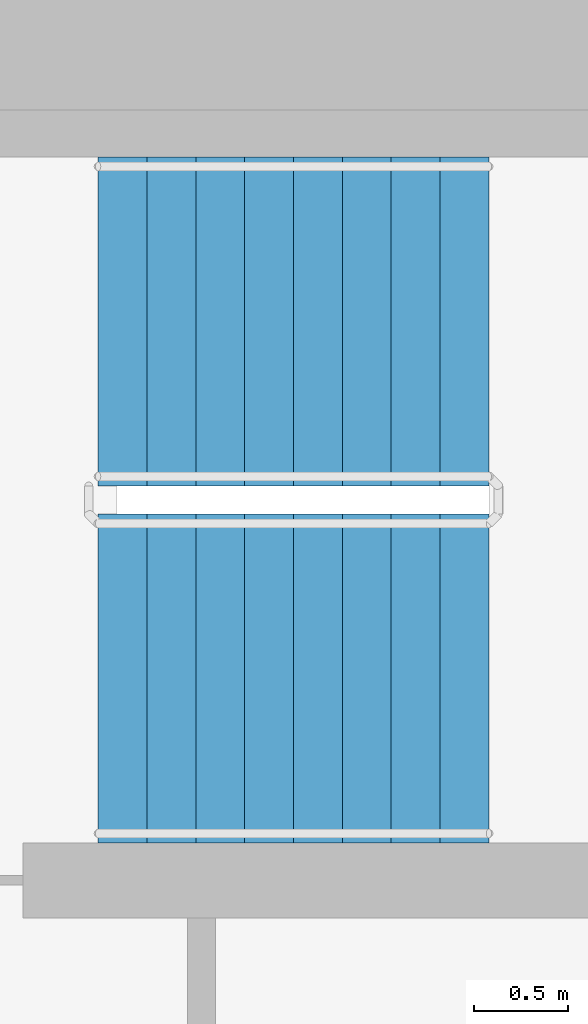
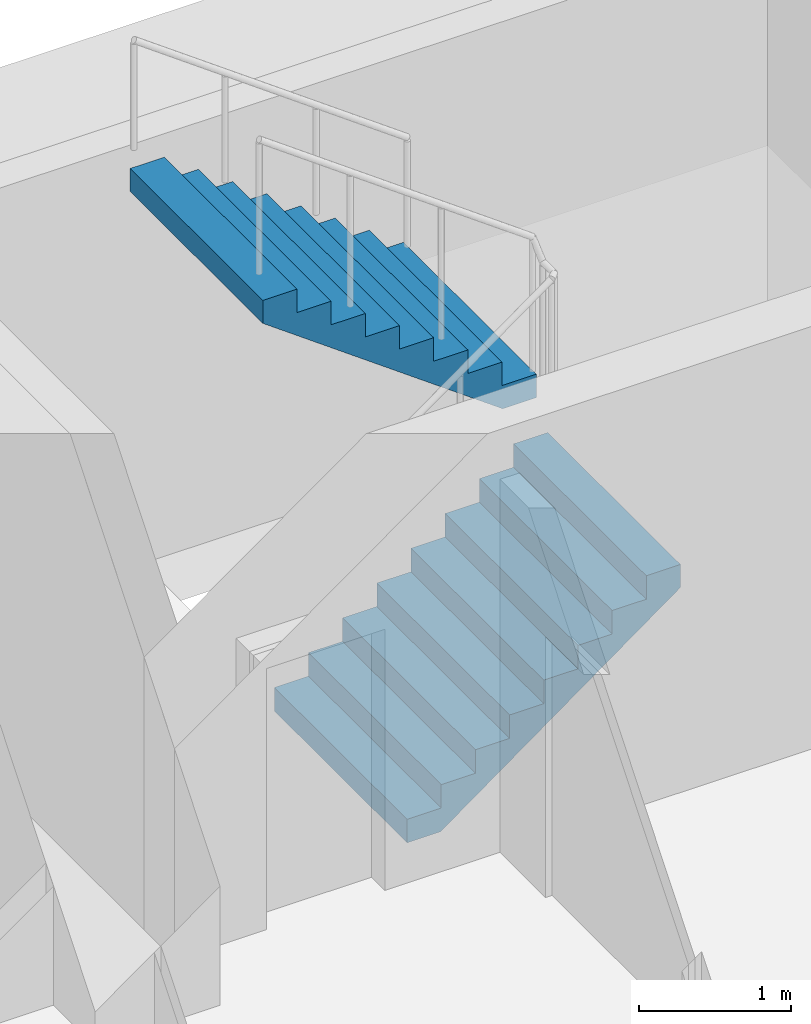
# One storey, part 16 of 21: 2 stair flights, 1 element without a shape of its own.
"""IFC4 building model written with IfcOpenShell, lengths in metres."""

from ifc_helpers import new_model, si_unit, direction, frame, origin, place, context, subcontext, project, spatial, faceted_brep, material, type_object, element, aggregate, save


model = new_model("IFC4")

# Units and contexts
model_context = context("Model", 3, precision=1e-05, world=origin(), true_north=direction((0.0, 1.0)))
body_context = subcontext(model_context, "Body", "Model", "MODEL_VIEW")
ifc_project = project(units=[si_unit("LENGTHUNIT", "METRE"), si_unit("AREAUNIT", "SQUARE_METRE"), si_unit("VOLUMEUNIT", "CUBIC_METRE"), si_unit("PLANEANGLEUNIT", "RADIAN"), si_unit("MASSUNIT", "GRAM", prefix="KILO")], contexts=[model_context])

# Site, building, storey
site_placement = place(None, origin())
site = spatial("IfcSite", under=ifc_project, at=site_placement, CompositionType="ELEMENT")
building_placement = place(site_placement, origin())
building = spatial("IfcBuilding", under=site, at=building_placement, Name="Ipe Terrace Towers", CompositionType="ELEMENT")
storey_placement = place(building_placement, frame((0.0, 0.0, 103.800048828125)))
storey = spatial("IfcBuildingStorey", under=building, at=storey_placement, Name="L28", CompositionType="ELEMENT", Elevation=103.800048828125)

# Stair, stair flights
ifc_material_1 = material(Name="Concrete C30/37", Category="concrete")
stair_type = type_object("IfcStairType", Name="Protected exit stair", PredefinedType="HALF_TURN_STAIR", material=ifc_material_1)
stair_placement = place(storey_placement, origin())
stair = element("IfcStair", 1, at=stair_placement, inside=storey, type_object=stair_type, Name="L28 Exit stair T1-C1", PredefinedType="HALF_TURN_STAIR")
ifc_material_2 = material(Name="Concrete C30/37", Category="concrete")
stair_flight_type = type_object("IfcStairFlightType", Name="Exit stair flight 1750", PredefinedType="STRAIGHT", material=ifc_material_2)
stair_flight_1_placement = place(storey_placement, frame((-26.300048828125, 2.77490234375, 0.0), z_axis=(0.0, 0.0, 1.0), x_axis=(1.0, 0.0, 0.0)))
stair_flight_1 = element("IfcStairFlight", 2, at=stair_flight_1_placement, type_object=stair_flight_type, Name="T1-ST1 flight 1", NumberOfRisers=9, NumberOfTreads=8, PredefinedType="STRAIGHT", RiserHeight=0.188888889, TreadLength=0.26, context=body_context, shape_type="Brep", body=[
    faceted_brep([(0.255126953125, -0.875, 0.0), (2.080078125, -0.875, 1.325927734375), (2.080078125, -0.875, 1.51123046875), (1.820068359375, -0.875, 1.51123046875), (1.820068359375, -0.875, 1.322265625), (1.56005859375, -0.875, 1.322265625), (1.56005859375, -0.875, 1.13330078125), (1.300048828125, -0.875, 1.13330078125), (1.300048828125, -0.875, 0.9443359375), (1.0400390625, -0.875, 0.9443359375), (1.0400390625, -0.875, 0.755615234375), (0.780029296875, -0.875, 0.755615234375), (0.780029296875, -0.875, 0.566650390625), (0.52001953125, -0.875, 0.566650390625), (0.52001953125, -0.875, 0.377685546875), (0.260009765625, -0.875, 0.377685546875), (0.260009765625, -0.875, 0.18896484375), (0.0, -0.875, 0.18896484375), (0.0, -0.875, 0.0), (0.0, 0.875, 0.0), (0.0, 0.875, 0.18896484375), (0.260009765625, 0.875, 0.18896484375), (0.260009765625, 0.875, 0.377685546875), (0.52001953125, 0.875, 0.377685546875), (0.52001953125, 0.875, 0.566650390625), (0.780029296875, 0.875, 0.566650390625), (0.780029296875, 0.875, 0.755615234375), (1.0400390625, 0.875, 0.755615234375), (1.0400390625, 0.875, 0.9443359375), (1.300048828125, 0.875, 0.9443359375), (1.300048828125, 0.875, 1.13330078125), (1.56005859375, 0.875, 1.13330078125), (1.56005859375, 0.875, 1.322265625), (1.820068359375, 0.875, 1.322265625), (1.820068359375, 0.875, 1.51123046875), (2.080078125, 0.875, 1.51123046875), (2.080078125, 0.875, 1.325927734375), (0.255126953125, 0.875, 0.0), (0.0, -0.300048828125, 0.18896484375), (0.0, -0.1201171875, 0.18896484375), (0.0, -0.06005859375, 0.18896484375), (0.0, -0.030029296875, 0.18896484375), (0.0, -0.010009765625, 0.18896484375), (0.0, 0.0, 0.18896484375), (0.0, 0.010009765625, 0.18896484375), (0.0, 0.030029296875, 0.18896484375), (0.0, 0.06005859375, 0.18896484375), (0.0, 0.1201171875, 0.18896484375), (0.0, 0.300048828125, 0.18896484375), (0.0, 0.300048828125, 0.0), (0.0, 0.1201171875, 0.0), (0.0, 0.06005859375, 0.0), (0.0, 0.030029296875, 0.0), (0.0, 0.010009765625, 0.0), (0.0, 0.0, 0.0), (0.0, -0.010009765625, 0.0), (0.0, -0.030029296875, 0.0), (0.0, -0.06005859375, 0.0), (0.0, -0.1201171875, 0.0), (0.0, -0.300048828125, 0.0), (0.260009765625, -0.300048828125, 0.18896484375), (0.260009765625, -0.1201171875, 0.18896484375), (0.260009765625, -0.06005859375, 0.18896484375), (0.260009765625, -0.030029296875, 0.18896484375), (0.260009765625, -0.010009765625, 0.18896484375), (0.260009765625, 0.0, 0.18896484375), (0.260009765625, 0.010009765625, 0.18896484375), (0.260009765625, 0.030029296875, 0.18896484375), (0.260009765625, 0.06005859375, 0.18896484375), (0.260009765625, 0.1201171875, 0.18896484375), (0.260009765625, 0.300048828125, 0.18896484375), (0.260009765625, -0.300048828125, 0.377685546875), (0.260009765625, -0.1201171875, 0.377685546875), (0.260009765625, -0.06005859375, 0.377685546875), (0.260009765625, -0.030029296875, 0.377685546875), (0.260009765625, -0.010009765625, 0.377685546875), (0.260009765625, 0.0, 0.377685546875), (0.260009765625, 0.010009765625, 0.377685546875), (0.260009765625, 0.030029296875, 0.377685546875), (0.260009765625, 0.06005859375, 0.377685546875), (0.260009765625, 0.1201171875, 0.377685546875), (0.260009765625, 0.300048828125, 0.377685546875), (0.52001953125, -0.300048828125, 0.377685546875), (0.52001953125, -0.1201171875, 0.377685546875), (0.52001953125, -0.06005859375, 0.377685546875), (0.52001953125, -0.030029296875, 0.377685546875), (0.52001953125, -0.010009765625, 0.377685546875), (0.52001953125, 0.0, 0.377685546875), (0.52001953125, 0.010009765625, 0.377685546875), (0.52001953125, 0.030029296875, 0.377685546875), (0.52001953125, 0.06005859375, 0.377685546875), (0.52001953125, 0.1201171875, 0.377685546875), (0.52001953125, 0.300048828125, 0.377685546875), (0.52001953125, -0.300048828125, 0.566650390625), (0.52001953125, -0.1201171875, 0.566650390625), (0.52001953125, -0.06005859375, 0.566650390625), (0.52001953125, -0.030029296875, 0.566650390625), (0.52001953125, -0.010009765625, 0.566650390625), (0.52001953125, 0.0, 0.566650390625), (0.52001953125, 0.010009765625, 0.566650390625), (0.52001953125, 0.030029296875, 0.566650390625), (0.52001953125, 0.06005859375, 0.566650390625), (0.52001953125, 0.1201171875, 0.566650390625), (0.52001953125, 0.300048828125, 0.566650390625), (0.780029296875, -0.300048828125, 0.566650390625), (0.780029296875, -0.1201171875, 0.566650390625), (0.780029296875, -0.06005859375, 0.566650390625), (0.780029296875, -0.030029296875, 0.566650390625), (0.780029296875, -0.010009765625, 0.566650390625), (0.780029296875, 0.0, 0.566650390625), (0.780029296875, 0.010009765625, 0.566650390625), (0.780029296875, 0.030029296875, 0.566650390625), (0.780029296875, 0.06005859375, 0.566650390625), (0.780029296875, 0.1201171875, 0.566650390625), (0.780029296875, 0.300048828125, 0.566650390625), (0.780029296875, -0.300048828125, 0.755615234375), (0.780029296875, -0.1201171875, 0.755615234375), (0.780029296875, -0.06005859375, 0.755615234375), (0.780029296875, -0.030029296875, 0.755615234375), (0.780029296875, -0.010009765625, 0.755615234375), (0.780029296875, 0.0, 0.755615234375), (0.780029296875, 0.010009765625, 0.755615234375), (0.780029296875, 0.030029296875, 0.755615234375), (0.780029296875, 0.06005859375, 0.755615234375), (0.780029296875, 0.1201171875, 0.755615234375), (0.780029296875, 0.300048828125, 0.755615234375), (1.0400390625, -0.300048828125, 0.755615234375), (1.0400390625, -0.1201171875, 0.755615234375), (1.0400390625, -0.06005859375, 0.755615234375), (1.0400390625, -0.030029296875, 0.755615234375), (1.0400390625, -0.010009765625, 0.755615234375), (1.0400390625, 0.0, 0.755615234375), (1.0400390625, 0.010009765625, 0.755615234375), (1.0400390625, 0.030029296875, 0.755615234375), (1.0400390625, 0.06005859375, 0.755615234375), (1.0400390625, 0.1201171875, 0.755615234375), (1.0400390625, 0.300048828125, 0.755615234375), (1.0400390625, -0.300048828125, 0.9443359375), (1.0400390625, -0.1201171875, 0.9443359375), (1.0400390625, -0.06005859375, 0.9443359375), (1.0400390625, -0.030029296875, 0.9443359375), (1.0400390625, -0.010009765625, 0.9443359375), (1.0400390625, 0.0, 0.9443359375), (1.0400390625, 0.010009765625, 0.9443359375), (1.0400390625, 0.030029296875, 0.9443359375), (1.0400390625, 0.06005859375, 0.9443359375), (1.0400390625, 0.1201171875, 0.9443359375), (1.0400390625, 0.300048828125, 0.9443359375), (1.300048828125, -0.300048828125, 0.9443359375), (1.300048828125, -0.1201171875, 0.9443359375), (1.300048828125, -0.06005859375, 0.9443359375), (1.300048828125, -0.030029296875, 0.9443359375), (1.300048828125, -0.010009765625, 0.9443359375), (1.300048828125, 0.0, 0.9443359375), (1.300048828125, 0.010009765625, 0.9443359375), (1.300048828125, 0.030029296875, 0.9443359375), (1.300048828125, 0.06005859375, 0.9443359375), (1.300048828125, 0.1201171875, 0.9443359375), (1.300048828125, 0.300048828125, 0.9443359375), (1.300048828125, -0.300048828125, 1.13330078125), (1.300048828125, -0.1201171875, 1.13330078125), (1.300048828125, -0.06005859375, 1.13330078125), (1.300048828125, -0.030029296875, 1.13330078125), (1.300048828125, -0.010009765625, 1.13330078125), (1.300048828125, 0.0, 1.13330078125), (1.300048828125, 0.010009765625, 1.13330078125), (1.300048828125, 0.030029296875, 1.13330078125), (1.300048828125, 0.06005859375, 1.13330078125), (1.300048828125, 0.1201171875, 1.13330078125), (1.300048828125, 0.300048828125, 1.13330078125), (1.56005859375, -0.300048828125, 1.13330078125), (1.56005859375, -0.1201171875, 1.13330078125), (1.56005859375, -0.06005859375, 1.13330078125), (1.56005859375, -0.030029296875, 1.13330078125), (1.56005859375, -0.010009765625, 1.13330078125), (1.56005859375, 0.0, 1.13330078125), (1.56005859375, 0.010009765625, 1.13330078125), (1.56005859375, 0.030029296875, 1.13330078125), (1.56005859375, 0.06005859375, 1.13330078125), (1.56005859375, 0.1201171875, 1.13330078125), (1.56005859375, 0.300048828125, 1.13330078125), (1.56005859375, -0.300048828125, 1.322265625), (1.56005859375, -0.1201171875, 1.322265625), (1.56005859375, -0.06005859375, 1.322265625), (1.56005859375, -0.030029296875, 1.322265625), (1.56005859375, -0.010009765625, 1.322265625), (1.56005859375, 0.0, 1.322265625), (1.56005859375, 0.010009765625, 1.322265625), (1.56005859375, 0.030029296875, 1.322265625), (1.56005859375, 0.06005859375, 1.322265625), (1.56005859375, 0.1201171875, 1.322265625), (1.56005859375, 0.300048828125, 1.322265625), (1.820068359375, -0.300048828125, 1.322265625), (1.820068359375, -0.1201171875, 1.322265625), (1.820068359375, -0.06005859375, 1.322265625), (1.820068359375, -0.030029296875, 1.322265625), (1.820068359375, -0.010009765625, 1.322265625), (1.820068359375, 0.0, 1.322265625), (1.820068359375, 0.010009765625, 1.322265625), (1.820068359375, 0.030029296875, 1.322265625), (1.820068359375, 0.06005859375, 1.322265625), (1.820068359375, 0.1201171875, 1.322265625), (1.820068359375, 0.300048828125, 1.322265625), (1.820068359375, -0.300048828125, 1.51123046875), (1.820068359375, -0.1201171875, 1.51123046875), (1.820068359375, -0.06005859375, 1.51123046875), (1.820068359375, -0.030029296875, 1.51123046875), (1.820068359375, -0.010009765625, 1.51123046875), (1.820068359375, 0.0, 1.51123046875), (1.820068359375, 0.010009765625, 1.51123046875), (1.820068359375, 0.030029296875, 1.51123046875), (1.820068359375, 0.06005859375, 1.51123046875), (1.820068359375, 0.1201171875, 1.51123046875), (1.820068359375, 0.300048828125, 1.51123046875), (2.080078125, -0.300048828125, 1.51123046875), (2.080078125, -0.1201171875, 1.51123046875), (2.080078125, -0.06005859375, 1.51123046875), (2.080078125, -0.030029296875, 1.51123046875), (2.080078125, -0.010009765625, 1.51123046875), (2.080078125, 0.0, 1.51123046875), (2.080078125, 0.010009765625, 1.51123046875), (2.080078125, 0.030029296875, 1.51123046875), (2.080078125, 0.06005859375, 1.51123046875), (2.080078125, 0.1201171875, 1.51123046875), (2.080078125, 0.300048828125, 1.51123046875), (2.080078125, -0.300048828125, 1.325927734375), (2.080078125, -0.1201171875, 1.325927734375), (2.080078125, -0.06005859375, 1.325927734375), (2.080078125, -0.030029296875, 1.325927734375), (2.080078125, -0.010009765625, 1.325927734375), (2.080078125, 0.0, 1.325927734375), (2.080078125, 0.010009765625, 1.325927734375), (2.080078125, 0.030029296875, 1.325927734375), (2.080078125, 0.06005859375, 1.325927734375), (2.080078125, 0.1201171875, 1.325927734375), (2.080078125, 0.300048828125, 1.325927734375), (0.255126953125, -0.300048828125, 0.0), (0.255126953125, -0.1201171875, 0.0), (0.255126953125, -0.06005859375, 0.0), (0.255126953125, -0.030029296875, 0.0), (0.255126953125, -0.010009765625, 0.0), (0.255126953125, 0.0, 0.0), (0.255126953125, 0.010009765625, 0.0), (0.255126953125, 0.030029296875, 0.0), (0.255126953125, 0.06005859375, 0.0), (0.255126953125, 0.1201171875, 0.0), (0.255126953125, 0.300048828125, 0.0)], [[[0, 1, 2, 3, 4, 5, 6, 7, 8, 9, 10, 11, 12, 13, 14, 15, 16, 17, 18]], [[19, 20, 21, 22, 23, 24, 25, 26, 27, 28, 29, 30, 31, 32, 33, 34, 35, 36, 37]], [[17, 38, 39, 40, 41, 42, 43, 44, 45, 46, 47, 48, 20, 19, 49, 50, 51, 52, 53, 54, 55, 56, 57, 58, 59, 18]], [[16, 60, 61, 62, 63, 64, 65, 66, 67, 68, 69, 70, 21, 20, 48, 47, 46, 45, 44, 43, 42, 41, 40, 39, 38, 17]], [[15, 71, 72, 73, 74, 75, 76, 77, 78, 79, 80, 81, 22, 21, 70, 69, 68, 67, 66, 65, 64, 63, 62, 61, 60, 16]], [[14, 82, 83, 84, 85, 86, 87, 88, 89, 90, 91, 92, 23, 22, 81, 80, 79, 78, 77, 76, 75, 74, 73, 72, 71, 15]], [[13, 93, 94, 95, 96, 97, 98, 99, 100, 101, 102, 103, 24, 23, 92, 91, 90, 89, 88, 87, 86, 85, 84, 83, 82, 14]], [[12, 104, 105, 106, 107, 108, 109, 110, 111, 112, 113, 114, 25, 24, 103, 102, 101, 100, 99, 98, 97, 96, 95, 94, 93, 13]], [[11, 115, 116, 117, 118, 119, 120, 121, 122, 123, 124, 125, 26, 25, 114, 113, 112, 111, 110, 109, 108, 107, 106, 105, 104, 12]], [[10, 126, 127, 128, 129, 130, 131, 132, 133, 134, 135, 136, 27, 26, 125, 124, 123, 122, 121, 120, 119, 118, 117, 116, 115, 11]], [[9, 137, 138, 139, 140, 141, 142, 143, 144, 145, 146, 147, 28, 27, 136, 135, 134, 133, 132, 131, 130, 129, 128, 127, 126, 10]], [[8, 148, 149, 150, 151, 152, 153, 154, 155, 156, 157, 158, 29, 28, 147, 146, 145, 144, 143, 142, 141, 140, 139, 138, 137, 9]], [[7, 159, 160, 161, 162, 163, 164, 165, 166, 167, 168, 169, 30, 29, 158, 157, 156, 155, 154, 153, 152, 151, 150, 149, 148, 8]], [[6, 170, 171, 172, 173, 174, 175, 176, 177, 178, 179, 180, 31, 30, 169, 168, 167, 166, 165, 164, 163, 162, 161, 160, 159, 7]], [[5, 181, 182, 183, 184, 185, 186, 187, 188, 189, 190, 191, 32, 31, 180, 179, 178, 177, 176, 175, 174, 173, 172, 171, 170, 6]], [[4, 192, 193, 194, 195, 196, 197, 198, 199, 200, 201, 202, 33, 32, 191, 190, 189, 188, 187, 186, 185, 184, 183, 182, 181, 5]], [[3, 203, 204, 205, 206, 207, 208, 209, 210, 211, 212, 213, 34, 33, 202, 201, 200, 199, 198, 197, 196, 195, 194, 193, 192, 4]], [[2, 214, 215, 216, 217, 218, 219, 220, 221, 222, 223, 224, 35, 34, 213, 212, 211, 210, 209, 208, 207, 206, 205, 204, 203, 3]], [[1, 225, 226, 227, 228, 229, 230, 231, 232, 233, 234, 235, 36, 35, 224, 223, 222, 221, 220, 219, 218, 217, 216, 215, 214, 2]], [[0, 236, 237, 238, 239, 240, 241, 242, 243, 244, 245, 246, 37, 36, 235, 234, 233, 232, 231, 230, 229, 228, 227, 226, 225, 1]], [[18, 59, 58, 57, 56, 55, 54, 53, 52, 51, 50, 49, 19, 37, 246, 245, 244, 243, 242, 241, 240, 239, 238, 237, 236, 0]]]),
])
stair_flight_2_placement = place(storey_placement, frame((-24.219970703125, 4.675048828125, 1.699951171875), z_axis=(0.0, 0.0, 1.0), x_axis=(-1.0, 0.0, 0.0)))
stair_flight_2 = element("IfcStairFlight", 3, at=stair_flight_2_placement, type_object=stair_flight_type, Name="T1-ST1 flight 2", NumberOfRisers=9, NumberOfTreads=8, PredefinedType="STRAIGHT", RiserHeight=0.188888889, TreadLength=0.26, context=body_context, shape_type="Brep", body=[
    faceted_brep([(0.255126953125, -0.875, 0.0), (2.080078125, -0.875, 1.325927734375), (2.080078125, -0.875, 1.51123046875), (1.820068359375, -0.875, 1.51123046875), (1.820068359375, -0.875, 1.322265625), (1.56005859375, -0.875, 1.322265625), (1.56005859375, -0.875, 1.13330078125), (1.300048828125, -0.875, 1.13330078125), (1.300048828125, -0.875, 0.9443359375), (1.0400390625, -0.875, 0.9443359375), (1.0400390625, -0.875, 0.755615234375), (0.780029296875, -0.875, 0.755615234375), (0.780029296875, -0.875, 0.566650390625), (0.52001953125, -0.875, 0.566650390625), (0.52001953125, -0.875, 0.377685546875), (0.260009765625, -0.875, 0.377685546875), (0.260009765625, -0.875, 0.18896484375), (0.0, -0.875, 0.18896484375), (0.0, -0.875, 0.0), (0.0, 0.875, 0.0), (0.0, 0.875, 0.18896484375), (0.260009765625, 0.875, 0.18896484375), (0.260009765625, 0.875, 0.377685546875), (0.52001953125, 0.875, 0.377685546875), (0.52001953125, 0.875, 0.566650390625), (0.780029296875, 0.875, 0.566650390625), (0.780029296875, 0.875, 0.755615234375), (1.0400390625, 0.875, 0.755615234375), (1.0400390625, 0.875, 0.9443359375), (1.300048828125, 0.875, 0.9443359375), (1.300048828125, 0.875, 1.13330078125), (1.56005859375, 0.875, 1.13330078125), (1.56005859375, 0.875, 1.322265625), (1.820068359375, 0.875, 1.322265625), (1.820068359375, 0.875, 1.51123046875), (2.080078125, 0.875, 1.51123046875), (2.080078125, 0.875, 1.325927734375), (0.255126953125, 0.875, 0.0), (0.0, -0.300048828125, 0.18896484375), (0.0, -0.1201171875, 0.18896484375), (0.0, -0.06005859375, 0.18896484375), (0.0, -0.030029296875, 0.18896484375), (0.0, -0.010009765625, 0.18896484375), (0.0, 0.0, 0.18896484375), (0.0, 0.010009765625, 0.18896484375), (0.0, 0.030029296875, 0.18896484375), (0.0, 0.06005859375, 0.18896484375), (0.0, 0.1201171875, 0.18896484375), (0.0, 0.300048828125, 0.18896484375), (0.0, 0.300048828125, 0.0), (0.0, 0.1201171875, 0.0), (0.0, 0.06005859375, 0.0), (0.0, 0.030029296875, 0.0), (0.0, 0.010009765625, 0.0), (0.0, 0.0, 0.0), (0.0, -0.010009765625, 0.0), (0.0, -0.030029296875, 0.0), (0.0, -0.06005859375, 0.0), (0.0, -0.1201171875, 0.0), (0.0, -0.300048828125, 0.0), (0.260009765625, -0.300048828125, 0.18896484375), (0.260009765625, -0.1201171875, 0.18896484375), (0.260009765625, -0.06005859375, 0.18896484375), (0.260009765625, -0.030029296875, 0.18896484375), (0.260009765625, -0.010009765625, 0.18896484375), (0.260009765625, 0.0, 0.18896484375), (0.260009765625, 0.010009765625, 0.18896484375), (0.260009765625, 0.030029296875, 0.18896484375), (0.260009765625, 0.06005859375, 0.18896484375), (0.260009765625, 0.1201171875, 0.18896484375), (0.260009765625, 0.300048828125, 0.18896484375), (0.260009765625, -0.300048828125, 0.377685546875), (0.260009765625, -0.1201171875, 0.377685546875), (0.260009765625, -0.06005859375, 0.377685546875), (0.260009765625, -0.030029296875, 0.377685546875), (0.260009765625, -0.010009765625, 0.377685546875), (0.260009765625, 0.0, 0.377685546875), (0.260009765625, 0.010009765625, 0.377685546875), (0.260009765625, 0.030029296875, 0.377685546875), (0.260009765625, 0.06005859375, 0.377685546875), (0.260009765625, 0.1201171875, 0.377685546875), (0.260009765625, 0.300048828125, 0.377685546875), (0.52001953125, -0.300048828125, 0.377685546875), (0.52001953125, -0.1201171875, 0.377685546875), (0.52001953125, -0.06005859375, 0.377685546875), (0.52001953125, -0.030029296875, 0.377685546875), (0.52001953125, -0.010009765625, 0.377685546875), (0.52001953125, 0.0, 0.377685546875), (0.52001953125, 0.010009765625, 0.377685546875), (0.52001953125, 0.030029296875, 0.377685546875), (0.52001953125, 0.06005859375, 0.377685546875), (0.52001953125, 0.1201171875, 0.377685546875), (0.52001953125, 0.300048828125, 0.377685546875), (0.52001953125, -0.300048828125, 0.566650390625), (0.52001953125, -0.1201171875, 0.566650390625), (0.52001953125, -0.06005859375, 0.566650390625), (0.52001953125, -0.030029296875, 0.566650390625), (0.52001953125, -0.010009765625, 0.566650390625), (0.52001953125, 0.0, 0.566650390625), (0.52001953125, 0.010009765625, 0.566650390625), (0.52001953125, 0.030029296875, 0.566650390625), (0.52001953125, 0.06005859375, 0.566650390625), (0.52001953125, 0.1201171875, 0.566650390625), (0.52001953125, 0.300048828125, 0.566650390625), (0.780029296875, -0.300048828125, 0.566650390625), (0.780029296875, -0.1201171875, 0.566650390625), (0.780029296875, -0.06005859375, 0.566650390625), (0.780029296875, -0.030029296875, 0.566650390625), (0.780029296875, -0.010009765625, 0.566650390625), (0.780029296875, 0.0, 0.566650390625), (0.780029296875, 0.010009765625, 0.566650390625), (0.780029296875, 0.030029296875, 0.566650390625), (0.780029296875, 0.06005859375, 0.566650390625), (0.780029296875, 0.1201171875, 0.566650390625), (0.780029296875, 0.300048828125, 0.566650390625), (0.780029296875, -0.300048828125, 0.755615234375), (0.780029296875, -0.1201171875, 0.755615234375), (0.780029296875, -0.06005859375, 0.755615234375), (0.780029296875, -0.030029296875, 0.755615234375), (0.780029296875, -0.010009765625, 0.755615234375), (0.780029296875, 0.0, 0.755615234375), (0.780029296875, 0.010009765625, 0.755615234375), (0.780029296875, 0.030029296875, 0.755615234375), (0.780029296875, 0.06005859375, 0.755615234375), (0.780029296875, 0.1201171875, 0.755615234375), (0.780029296875, 0.300048828125, 0.755615234375), (1.0400390625, -0.300048828125, 0.755615234375), (1.0400390625, -0.1201171875, 0.755615234375), (1.0400390625, -0.06005859375, 0.755615234375), (1.0400390625, -0.030029296875, 0.755615234375), (1.0400390625, -0.010009765625, 0.755615234375), (1.0400390625, 0.0, 0.755615234375), (1.0400390625, 0.010009765625, 0.755615234375), (1.0400390625, 0.030029296875, 0.755615234375), (1.0400390625, 0.06005859375, 0.755615234375), (1.0400390625, 0.1201171875, 0.755615234375), (1.0400390625, 0.300048828125, 0.755615234375), (1.0400390625, -0.300048828125, 0.9443359375), (1.0400390625, -0.1201171875, 0.9443359375), (1.0400390625, -0.06005859375, 0.9443359375), (1.0400390625, -0.030029296875, 0.9443359375), (1.0400390625, -0.010009765625, 0.9443359375), (1.0400390625, 0.0, 0.9443359375), (1.0400390625, 0.010009765625, 0.9443359375), (1.0400390625, 0.030029296875, 0.9443359375), (1.0400390625, 0.06005859375, 0.9443359375), (1.0400390625, 0.1201171875, 0.9443359375), (1.0400390625, 0.300048828125, 0.9443359375), (1.300048828125, -0.300048828125, 0.9443359375), (1.300048828125, -0.1201171875, 0.9443359375), (1.300048828125, -0.06005859375, 0.9443359375), (1.300048828125, -0.030029296875, 0.9443359375), (1.300048828125, -0.010009765625, 0.9443359375), (1.300048828125, 0.0, 0.9443359375), (1.300048828125, 0.010009765625, 0.9443359375), (1.300048828125, 0.030029296875, 0.9443359375), (1.300048828125, 0.06005859375, 0.9443359375), (1.300048828125, 0.1201171875, 0.9443359375), (1.300048828125, 0.300048828125, 0.9443359375), (1.300048828125, -0.300048828125, 1.13330078125), (1.300048828125, -0.1201171875, 1.13330078125), (1.300048828125, -0.06005859375, 1.13330078125), (1.300048828125, -0.030029296875, 1.13330078125), (1.300048828125, -0.010009765625, 1.13330078125), (1.300048828125, 0.0, 1.13330078125), (1.300048828125, 0.010009765625, 1.13330078125), (1.300048828125, 0.030029296875, 1.13330078125), (1.300048828125, 0.06005859375, 1.13330078125), (1.300048828125, 0.1201171875, 1.13330078125), (1.300048828125, 0.300048828125, 1.13330078125), (1.56005859375, -0.300048828125, 1.13330078125), (1.56005859375, -0.1201171875, 1.13330078125), (1.56005859375, -0.06005859375, 1.13330078125), (1.56005859375, -0.030029296875, 1.13330078125), (1.56005859375, -0.010009765625, 1.13330078125), (1.56005859375, 0.0, 1.13330078125), (1.56005859375, 0.010009765625, 1.13330078125), (1.56005859375, 0.030029296875, 1.13330078125), (1.56005859375, 0.06005859375, 1.13330078125), (1.56005859375, 0.1201171875, 1.13330078125), (1.56005859375, 0.300048828125, 1.13330078125), (1.56005859375, -0.300048828125, 1.322265625), (1.56005859375, -0.1201171875, 1.322265625), (1.56005859375, -0.06005859375, 1.322265625), (1.56005859375, -0.030029296875, 1.322265625), (1.56005859375, -0.010009765625, 1.322265625), (1.56005859375, 0.0, 1.322265625), (1.56005859375, 0.010009765625, 1.322265625), (1.56005859375, 0.030029296875, 1.322265625), (1.56005859375, 0.06005859375, 1.322265625), (1.56005859375, 0.1201171875, 1.322265625), (1.56005859375, 0.300048828125, 1.322265625), (1.820068359375, -0.300048828125, 1.322265625), (1.820068359375, -0.1201171875, 1.322265625), (1.820068359375, -0.06005859375, 1.322265625), (1.820068359375, -0.030029296875, 1.322265625), (1.820068359375, -0.010009765625, 1.322265625), (1.820068359375, 0.0, 1.322265625), (1.820068359375, 0.010009765625, 1.322265625), (1.820068359375, 0.030029296875, 1.322265625), (1.820068359375, 0.06005859375, 1.322265625), (1.820068359375, 0.1201171875, 1.322265625), (1.820068359375, 0.300048828125, 1.322265625), (1.820068359375, -0.300048828125, 1.51123046875), (1.820068359375, -0.1201171875, 1.51123046875), (1.820068359375, -0.06005859375, 1.51123046875), (1.820068359375, -0.030029296875, 1.51123046875), (1.820068359375, -0.010009765625, 1.51123046875), (1.820068359375, 0.0, 1.51123046875), (1.820068359375, 0.010009765625, 1.51123046875), (1.820068359375, 0.030029296875, 1.51123046875), (1.820068359375, 0.06005859375, 1.51123046875), (1.820068359375, 0.1201171875, 1.51123046875), (1.820068359375, 0.300048828125, 1.51123046875), (2.080078125, -0.300048828125, 1.51123046875), (2.080078125, -0.1201171875, 1.51123046875), (2.080078125, -0.06005859375, 1.51123046875), (2.080078125, -0.030029296875, 1.51123046875), (2.080078125, -0.010009765625, 1.51123046875), (2.080078125, 0.0, 1.51123046875), (2.080078125, 0.010009765625, 1.51123046875), (2.080078125, 0.030029296875, 1.51123046875), (2.080078125, 0.06005859375, 1.51123046875), (2.080078125, 0.1201171875, 1.51123046875), (2.080078125, 0.300048828125, 1.51123046875), (2.080078125, -0.300048828125, 1.325927734375), (2.080078125, -0.1201171875, 1.325927734375), (2.080078125, -0.06005859375, 1.325927734375), (2.080078125, -0.030029296875, 1.325927734375), (2.080078125, -0.010009765625, 1.325927734375), (2.080078125, 0.0, 1.325927734375), (2.080078125, 0.010009765625, 1.325927734375), (2.080078125, 0.030029296875, 1.325927734375), (2.080078125, 0.06005859375, 1.325927734375), (2.080078125, 0.1201171875, 1.325927734375), (2.080078125, 0.300048828125, 1.325927734375), (0.255126953125, -0.300048828125, 0.0), (0.255126953125, -0.1201171875, 0.0), (0.255126953125, -0.06005859375, 0.0), (0.255126953125, -0.030029296875, 0.0), (0.255126953125, -0.010009765625, 0.0), (0.255126953125, 0.0, 0.0), (0.255126953125, 0.010009765625, 0.0), (0.255126953125, 0.030029296875, 0.0), (0.255126953125, 0.06005859375, 0.0), (0.255126953125, 0.1201171875, 0.0), (0.255126953125, 0.300048828125, 0.0)], [[[0, 1, 2, 3, 4, 5, 6, 7, 8, 9, 10, 11, 12, 13, 14, 15, 16, 17, 18]], [[19, 20, 21, 22, 23, 24, 25, 26, 27, 28, 29, 30, 31, 32, 33, 34, 35, 36, 37]], [[17, 38, 39, 40, 41, 42, 43, 44, 45, 46, 47, 48, 20, 19, 49, 50, 51, 52, 53, 54, 55, 56, 57, 58, 59, 18]], [[16, 60, 61, 62, 63, 64, 65, 66, 67, 68, 69, 70, 21, 20, 48, 47, 46, 45, 44, 43, 42, 41, 40, 39, 38, 17]], [[15, 71, 72, 73, 74, 75, 76, 77, 78, 79, 80, 81, 22, 21, 70, 69, 68, 67, 66, 65, 64, 63, 62, 61, 60, 16]], [[14, 82, 83, 84, 85, 86, 87, 88, 89, 90, 91, 92, 23, 22, 81, 80, 79, 78, 77, 76, 75, 74, 73, 72, 71, 15]], [[13, 93, 94, 95, 96, 97, 98, 99, 100, 101, 102, 103, 24, 23, 92, 91, 90, 89, 88, 87, 86, 85, 84, 83, 82, 14]], [[12, 104, 105, 106, 107, 108, 109, 110, 111, 112, 113, 114, 25, 24, 103, 102, 101, 100, 99, 98, 97, 96, 95, 94, 93, 13]], [[11, 115, 116, 117, 118, 119, 120, 121, 122, 123, 124, 125, 26, 25, 114, 113, 112, 111, 110, 109, 108, 107, 106, 105, 104, 12]], [[10, 126, 127, 128, 129, 130, 131, 132, 133, 134, 135, 136, 27, 26, 125, 124, 123, 122, 121, 120, 119, 118, 117, 116, 115, 11]], [[9, 137, 138, 139, 140, 141, 142, 143, 144, 145, 146, 147, 28, 27, 136, 135, 134, 133, 132, 131, 130, 129, 128, 127, 126, 10]], [[8, 148, 149, 150, 151, 152, 153, 154, 155, 156, 157, 158, 29, 28, 147, 146, 145, 144, 143, 142, 141, 140, 139, 138, 137, 9]], [[7, 159, 160, 161, 162, 163, 164, 165, 166, 167, 168, 169, 30, 29, 158, 157, 156, 155, 154, 153, 152, 151, 150, 149, 148, 8]], [[6, 170, 171, 172, 173, 174, 175, 176, 177, 178, 179, 180, 31, 30, 169, 168, 167, 166, 165, 164, 163, 162, 161, 160, 159, 7]], [[5, 181, 182, 183, 184, 185, 186, 187, 188, 189, 190, 191, 32, 31, 180, 179, 178, 177, 176, 175, 174, 173, 172, 171, 170, 6]], [[4, 192, 193, 194, 195, 196, 197, 198, 199, 200, 201, 202, 33, 32, 191, 190, 189, 188, 187, 186, 185, 184, 183, 182, 181, 5]], [[3, 203, 204, 205, 206, 207, 208, 209, 210, 211, 212, 213, 34, 33, 202, 201, 200, 199, 198, 197, 196, 195, 194, 193, 192, 4]], [[2, 214, 215, 216, 217, 218, 219, 220, 221, 222, 223, 224, 35, 34, 213, 212, 211, 210, 209, 208, 207, 206, 205, 204, 203, 3]], [[1, 225, 226, 227, 228, 229, 230, 231, 232, 233, 234, 235, 36, 35, 224, 223, 222, 221, 220, 219, 218, 217, 216, 215, 214, 2]], [[0, 236, 237, 238, 239, 240, 241, 242, 243, 244, 245, 246, 37, 36, 235, 234, 233, 232, 231, 230, 229, 228, 227, 226, 225, 1]], [[18, 59, 58, 57, 56, 55, 54, 53, 52, 51, 50, 49, 19, 37, 246, 245, 244, 243, 242, 241, 240, 239, 238, 237, 236, 0]]]),
])
aggregate(stair, [stair_flight_1, stair_flight_2])

save(model, "model.ifc")
